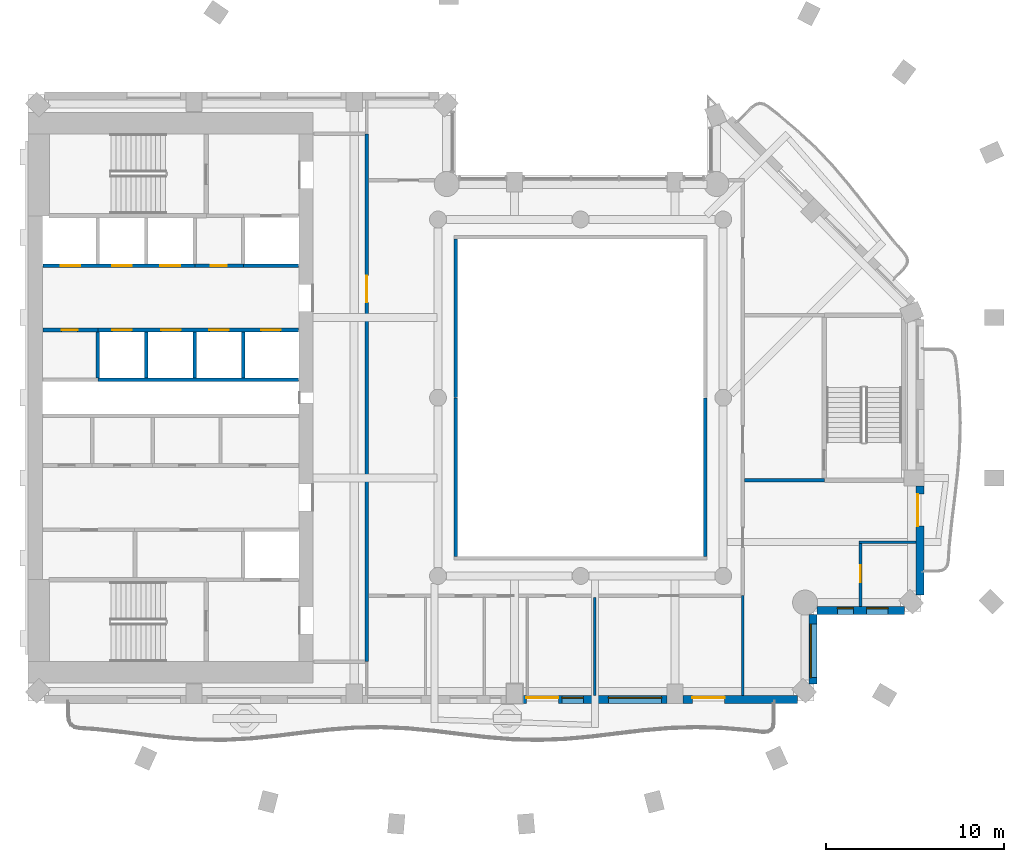
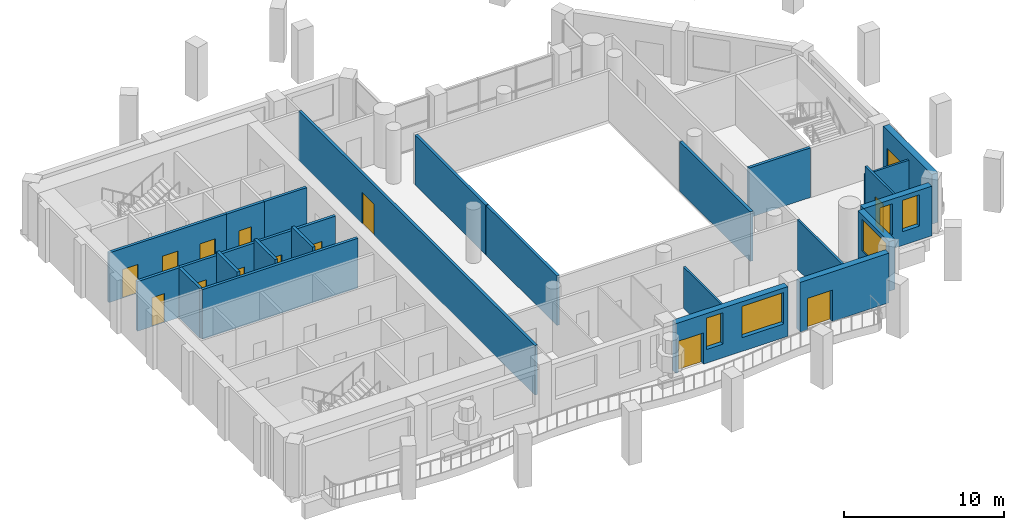
# One storey, part 5 of 14: 24 walls, 14 doors, 5 windows, 19 openings.
"""IFC4 building model written with IfcOpenShell, lengths in metres."""

from ifc_helpers import new_model, si_unit, direction, frame, frame_2d, origin, place, context, subcontext, project, spatial, rectangle, extrude, material, layer, layer_set, type_object, element, fill, save


model = new_model("IFC4")

# Units and contexts
model_context = context("Model", 3, precision=1e-05, world=origin(), true_north=direction((0.0, 1.0)))
body_context = subcontext(model_context, "Body", "Model", "MODEL_VIEW")
ifc_project = project(units=[si_unit("LENGTHUNIT", "METRE"), si_unit("AREAUNIT", "SQUARE_METRE"), si_unit("VOLUMEUNIT", "CUBIC_METRE"), si_unit("PLANEANGLEUNIT", "RADIAN"), si_unit("MASSUNIT", "GRAM", prefix="KILO")], contexts=[model_context])

# Site, building, storey
site_placement = place(None, origin())
site = spatial("IfcSite", under=ifc_project, at=site_placement, CompositionType="ELEMENT")
building_placement = place(site_placement, origin())
building = spatial("IfcBuilding", under=site, at=building_placement, Name="Cypress Arch Tower", CompositionType="ELEMENT")
storey_placement = place(building_placement, frame((0.0, 0.0, 185.10009765625)))
storey = spatial("IfcBuildingStorey", under=building, at=storey_placement, Name="L40", CompositionType="ELEMENT", Elevation=185.10009765625)

# Wall, openings, door, windows
ifc_material_1 = material(Name="Brick (red buff blend)", Category="masonry")
ifc_layer_1 = layer(ifc_material_1, 0.449951171875)
ifc_layer_set_1 = layer_set([ifc_layer_1], Name="Brick pier and spandrel wall BW450")
wall_type_1 = type_object("IfcWallType", Name="Brick pier and spandrel wall BW450", PredefinedType="SOLIDWALL", material=ifc_layer_set_1)
wall_1_placement = place(storey_placement, frame((-2.25, -16.925048828125, 0.0), z_axis=(0.0, 0.0, 1.0), x_axis=(1.0, 0.0, 0.0)))
wall_1 = element("IfcWall", 1, at=wall_1_placement, inside=storey, type_object=wall_type_1, Name="Brick wall L40 B01.3", PredefinedType="SOLIDWALL", context=body_context, shape_type="SweptSolid", body=[
    extrude(rectangle(XDim=8.10009765625, YDim=0.449951171875, at=frame_2d((4.050048828125, 0.0))), origin(), (0.0, 0.0, 1.0), 3.7998046875),
])
opening_1_placement = place(wall_1_placement, frame((0.199951171875, 0.0, 0.0)))
opening_1 = element("IfcOpeningElement", 2, at=opening_1_placement, cuts=wall_1, Name="Opening D-L40-B01.3.1", PredefinedType="OPENING", context=body_context, shape_type="SweptSolid", body=[
    extrude(rectangle(XDim=1.800048828125, YDim=2.39990234375, at=frame_2d((0.89990234375, 1.199951171875))), frame((0.0, 0.23486328125, 0.0), z_axis=(0.0, -1.0, 0.0), x_axis=(1.0, 0.0, 0.0)), (0.0, 0.0, 1.0), 0.469970703125),
])
opening_2_placement = place(wall_1_placement, frame((2.199951171875, 0.0, 1.050048828125)))
opening_2 = element("IfcOpeningElement", 3, at=opening_2_placement, cuts=wall_1, Name="Opening W120OD", PredefinedType="OPENING", context=body_context, shape_type="SweptSolid", body=[
    extrude(rectangle(XDim=1.199951171875, YDim=2.39990234375, at=frame_2d((0.60009765625, 1.199951171875))), frame((0.0, 0.23486328125, 0.0), z_axis=(0.0, -1.0, 0.0), x_axis=(1.0, 0.0, 0.0)), (0.0, 0.0, 1.0), 0.469970703125),
])
opening_3_placement = place(wall_1_placement, frame((4.800048828125, 0.0, 1.050048828125)))
opening_3 = element("IfcOpeningElement", 4, at=opening_3_placement, cuts=wall_1, Name="Opening W300OD", PredefinedType="OPENING", context=body_context, shape_type="SweptSolid", body=[
    extrude(rectangle(XDim=3.0, YDim=2.39990234375, at=frame_2d((1.5, 1.199951171875))), frame((0.0, 0.23486328125, 0.0), z_axis=(0.0, -1.0, 0.0), x_axis=(1.0, 0.0, 0.0)), (0.0, 0.0, 1.0), 0.469970703125),
])
ifc_material_2 = material(Name="Anodised aluminium, bronze finish, laminated low-emissivity double glazing, large-missile impact rated", Category="aluminium")
door_type_1 = type_object("IfcDoorType", Name="Balcony sliding door 1800x2400", OperationType="SLIDING_TO_LEFT", PredefinedType="DOOR", material=ifc_material_2)
door_1_placement = place(opening_1_placement, origin())
door_1 = element("IfcDoor", 5, at=door_1_placement, inside=storey, type_object=door_type_1, Name="Balcony door L40 B01.3.1", OperationType="SLIDING_TO_LEFT", OverallHeight=2.39990234375, OverallWidth=1.800048828125, PredefinedType="DOOR", context=body_context, shape_type="SweptSolid", body=[
    extrude(rectangle(XDim=1.800048828125, YDim=2.39990234375, at=frame_2d((0.89990234375, 1.199951171875))), frame((0.0, 0.1298828125, 0.0), z_axis=(0.0, -1.0, 0.0), x_axis=(1.0, 0.0, 0.0)), (0.0, 0.0, 1.0), 0.050048828125),
])
fill(opening_1, door_1)
ifc_material_3 = material(Name="Anodised aluminium, bronze finish, laminated low-emissivity double glazing, large-missile impact rated", Category="aluminium")
window_type_1 = type_object("IfcWindowType", Name="Window Office 1200x2400 debris-rated", PartitioningType="SINGLE_PANEL", PredefinedType="WINDOW", material=ifc_material_3)
window_1_placement = place(opening_2_placement, origin())
window_1 = element("IfcWindow", 6, at=window_1_placement, inside=storey, type_object=window_type_1, Name="Window L40 B01.3.1", OverallHeight=2.39990234375, OverallWidth=1.199951171875, PartitioningType="SINGLE_PANEL", PredefinedType="WINDOW", context=body_context, shape_type="SweptSolid", body=[
    extrude(rectangle(XDim=1.199951171875, YDim=2.39990234375, at=frame_2d((0.60009765625, 1.199951171875))), frame((0.0, 0.135009765625, 0.0), z_axis=(0.0, -1.0, 0.0), x_axis=(1.0, 0.0, 0.0)), (0.0, 0.0, 1.0), 0.06005859375),
])
fill(opening_2, window_1)
ifc_material_4 = material(Name="Anodised aluminium, bronze finish, laminated low-emissivity double glazing, large-missile impact rated", Category="aluminium")
window_type_2 = type_object("IfcWindowType", Name="Window Office 3000x2400 debris-rated", PartitioningType="SINGLE_PANEL", PredefinedType="WINDOW", material=ifc_material_4)
window_2_placement = place(opening_3_placement, origin())
window_2 = element("IfcWindow", 7, at=window_2_placement, inside=storey, type_object=window_type_2, Name="Window L40 B01.3.2", OverallHeight=2.39990234375, OverallWidth=3.0, PartitioningType="SINGLE_PANEL", PredefinedType="WINDOW", context=body_context, shape_type="SweptSolid", body=[
    extrude(rectangle(XDim=3.0, YDim=2.39990234375, at=frame_2d((1.5, 1.199951171875))), frame((0.0, 0.135009765625, 0.0), z_axis=(0.0, -1.0, 0.0), x_axis=(1.0, 0.0, 0.0)), (0.0, 0.0, 1.0), 0.06005859375),
])
fill(opening_3, window_2)

# Wall, opening, door
wall_2_placement = place(storey_placement, frame((6.75, -16.925048828125, 0.0), z_axis=(0.0, 0.0, 1.0), x_axis=(1.0, 0.0, 0.0)))
wall_2 = element("IfcWall", 8, at=wall_2_placement, inside=storey, type_object=wall_type_1, Name="Brick wall L40 B01.4", PredefinedType="SOLIDWALL", context=body_context, shape_type="SweptSolid", body=[
    extrude(rectangle(XDim=6.41357421875, YDim=0.449951171875, at=frame_2d((3.206787109375, 0.0))), origin(), (0.0, 0.0, 1.0), 3.7998046875),
])
opening_4_placement = place(wall_2_placement, frame((0.52490234375, 0.0, 0.0)))
opening_4 = element("IfcOpeningElement", 9, at=opening_4_placement, cuts=wall_2, Name="Opening D-L40-B01.4.1", PredefinedType="OPENING", context=body_context, shape_type="SweptSolid", body=[
    extrude(rectangle(XDim=1.800048828125, YDim=2.39990234375, at=frame_2d((0.89990234375, 1.199951171875))), frame((0.0, 0.23486328125, 0.0), z_axis=(0.0, -1.0, 0.0), x_axis=(1.0, 0.0, 0.0)), (0.0, 0.0, 1.0), 0.469970703125),
])
door_2_placement = place(opening_4_placement, origin())
door_2 = element("IfcDoor", 10, at=door_2_placement, inside=storey, type_object=door_type_1, Name="Balcony door L40 B01.4.1", OperationType="SLIDING_TO_LEFT", OverallHeight=2.39990234375, OverallWidth=1.800048828125, PredefinedType="DOOR", context=body_context, shape_type="SweptSolid", body=[
    extrude(rectangle(XDim=1.800048828125, YDim=2.39990234375, at=frame_2d((0.89990234375, 1.199951171875))), frame((0.0, 0.1298828125, 0.0), z_axis=(0.0, -1.0, 0.0), x_axis=(1.0, 0.0, 0.0)), (0.0, 0.0, 1.0), 0.050048828125),
])
fill(opening_4, door_2)

# Wall, opening, window
wall_3_placement = place(storey_placement, frame((14.02490234375, -16.063720703125, 0.0), z_axis=(0.0, 0.0, 1.0), x_axis=(0.0, 1.0, 0.0)))
wall_3 = element("IfcWall", 11, at=wall_3_placement, inside=storey, type_object=wall_type_1, Name="Brick wall L40 B02.0", PredefinedType="SOLIDWALL", context=body_context, shape_type="SweptSolid", body=[
    extrude(rectangle(XDim=3.9091796875, YDim=0.449951171875, at=frame_2d((1.95458984375, 0.0))), origin(), (0.0, 0.0, 1.0), 3.7998046875),
])
opening_5_placement = place(wall_3_placement, frame((0.363525390625, 0.0, 1.050048828125)))
opening_5 = element("IfcOpeningElement", 12, at=opening_5_placement, cuts=wall_3, Name="Opening W300O", PredefinedType="OPENING", context=body_context, shape_type="SweptSolid", body=[
    extrude(rectangle(XDim=3.0, YDim=2.39990234375, at=frame_2d((1.5, 1.199951171875))), frame((0.0, 0.23486328125, 0.0), z_axis=(0.0, -1.0, 0.0), x_axis=(1.0, 0.0, 0.0)), (0.0, 0.0, 1.0), 0.469970703125),
])
ifc_material_5 = material(Name="Anodised aluminium, bronze finish, clear low-emissivity double glazing", Category="aluminium")
window_type_3 = type_object("IfcWindowType", Name="Window Office 3000x2400", PartitioningType="SINGLE_PANEL", PredefinedType="WINDOW", material=ifc_material_5)
window_3_placement = place(opening_5_placement, origin())
window_3 = element("IfcWindow", 13, at=window_3_placement, inside=storey, type_object=window_type_3, Name="Window L40 B02.0.1", OverallHeight=2.39990234375, OverallWidth=3.0, PartitioningType="SINGLE_PANEL", PredefinedType="WINDOW", context=body_context, shape_type="SweptSolid", body=[
    extrude(rectangle(XDim=3.0, YDim=2.39990234375, at=frame_2d((1.5, 1.199951171875))), frame((0.0, 0.135009765625, 0.0), z_axis=(0.0, -1.0, 0.0), x_axis=(1.0, 0.0, 0.0)), (0.0, 0.0, 1.0), 0.06005859375),
])
fill(opening_5, window_3)

# Wall, openings, windows
wall_4_placement = place(storey_placement, frame((14.254638671875, -11.925048828125, 0.0), z_axis=(0.0, 0.0, 1.0), x_axis=(1.0, 0.0, 0.0)))
wall_4 = element("IfcWall", 14, at=wall_4_placement, inside=storey, type_object=wall_type_1, Name="Brick wall L40 B03.0", PredefinedType="SOLIDWALL", context=body_context, shape_type="SweptSolid", body=[
    extrude(rectangle(XDim=4.908935546875, YDim=0.449951171875, at=frame_2d((2.45458984375, 0.0))), origin(), (0.0, 0.0, 1.0), 3.7998046875),
])
opening_6_placement = place(wall_4_placement, frame((1.1455078125, 0.0, 1.050048828125)))
opening_6 = element("IfcOpeningElement", 15, at=opening_6_placement, cuts=wall_4, Name="Opening W090O", PredefinedType="OPENING", context=body_context, shape_type="SweptSolid", body=[
    extrude(rectangle(XDim=0.89990234375, YDim=2.39990234375, at=frame_2d((0.449951171875, 1.199951171875))), frame((0.0, 0.23486328125, 0.0), z_axis=(0.0, -1.0, 0.0), x_axis=(1.0, 0.0, 0.0)), (0.0, 0.0, 1.0), 0.469970703125),
])
opening_7_placement = place(wall_4_placement, frame((2.79541015625, 0.0, 1.050048828125)))
opening_7 = element("IfcOpeningElement", 16, at=opening_7_placement, cuts=wall_4, Name="Opening W120O", PredefinedType="OPENING", context=body_context, shape_type="SweptSolid", body=[
    extrude(rectangle(XDim=1.199951171875, YDim=2.39990234375, at=frame_2d((0.60009765625, 1.199951171875))), frame((0.0, 0.23486328125, 0.0), z_axis=(0.0, -1.0, 0.0), x_axis=(1.0, 0.0, 0.0)), (0.0, 0.0, 1.0), 0.469970703125),
])
ifc_material_6 = material(Name="Anodised aluminium, bronze finish, clear low-emissivity double glazing", Category="aluminium")
window_type_4 = type_object("IfcWindowType", Name="Window Office 1200x2400", PartitioningType="SINGLE_PANEL", PredefinedType="WINDOW", material=ifc_material_6)
window_4_placement = place(opening_7_placement, origin())
window_4 = element("IfcWindow", 17, at=window_4_placement, inside=storey, type_object=window_type_4, Name="Window L40 B03.0.1b", OverallHeight=2.39990234375, OverallWidth=1.199951171875, PartitioningType="SINGLE_PANEL", PredefinedType="WINDOW", context=body_context, shape_type="SweptSolid", body=[
    extrude(rectangle(XDim=1.199951171875, YDim=2.39990234375, at=frame_2d((0.60009765625, 1.199951171875))), frame((0.0, 0.135009765625, 0.0), z_axis=(0.0, -1.0, 0.0), x_axis=(1.0, 0.0, 0.0)), (0.0, 0.0, 1.0), 0.06005859375),
])
fill(opening_7, window_4)
ifc_material_7 = material(Name="Anodised aluminium, bronze finish, clear low-emissivity double glazing", Category="aluminium")
window_type_5 = type_object("IfcWindowType", Name="Window Office 900x2400", PartitioningType="SINGLE_PANEL", PredefinedType="WINDOW", material=ifc_material_7)
window_5_placement = place(opening_6_placement, origin())
window_5 = element("IfcWindow", 18, at=window_5_placement, inside=storey, type_object=window_type_5, Name="Window L40 B03.0.1", OverallHeight=2.39990234375, OverallWidth=0.89990234375, PartitioningType="SINGLE_PANEL", PredefinedType="WINDOW", context=body_context, shape_type="SweptSolid", body=[
    extrude(rectangle(XDim=0.89990234375, YDim=2.39990234375, at=frame_2d((0.449951171875, 1.199951171875))), frame((0.0, 0.135009765625, 0.0), z_axis=(0.0, -1.0, 0.0), x_axis=(1.0, 0.0, 0.0)), (0.0, 0.0, 1.0), 0.06005859375),
])
fill(opening_6, window_5)

# Wall, opening, door
wall_5_placement = place(storey_placement, frame((20.02490234375, -11.063720703125, 0.0), z_axis=(0.0, 0.0, 1.0), x_axis=(0.0, 1.0, 0.0)))
wall_5 = element("IfcWall", 19, at=wall_5_placement, inside=storey, type_object=wall_type_1, Name="Brick wall L40 B04.0", PredefinedType="SOLIDWALL", context=body_context, shape_type="SweptSolid", body=[
    extrude(rectangle(XDim=6.11376953125, YDim=0.449951171875, at=frame_2d((3.056884765625, 0.0))), origin(), (0.0, 0.0, 1.0), 3.7998046875),
])
opening_8_placement = place(wall_5_placement, frame((3.863525390625, 0.0, 0.0)))
opening_8 = element("IfcOpeningElement", 20, at=opening_8_placement, cuts=wall_5, Name="Opening D-L40-B04.0.2", PredefinedType="OPENING", context=body_context, shape_type="SweptSolid", body=[
    extrude(rectangle(XDim=1.800048828125, YDim=2.39990234375, at=frame_2d((0.89990234375, 1.199951171875))), frame((0.0, 0.23486328125, 0.0), z_axis=(0.0, -1.0, 0.0), x_axis=(1.0, 0.0, 0.0)), (0.0, 0.0, 1.0), 0.469970703125),
])
door_3_placement = place(opening_8_placement, origin())
door_3 = element("IfcDoor", 21, at=door_3_placement, inside=storey, type_object=door_type_1, Name="Balcony door L40 B04.0.2", OperationType="SLIDING_TO_LEFT", OverallHeight=2.39990234375, OverallWidth=1.800048828125, PredefinedType="DOOR", context=body_context, shape_type="SweptSolid", body=[
    extrude(rectangle(XDim=1.800048828125, YDim=2.39990234375, at=frame_2d((0.89990234375, 1.199951171875))), frame((0.0, 0.1298828125, 0.0), z_axis=(0.0, -1.0, 0.0), x_axis=(1.0, 0.0, 0.0)), (0.0, 0.0, 1.0), 0.050048828125),
])
fill(opening_8, door_3)

ifc_material_8 = material(Name="Concrete blockwork, plastered, rated", Category="masonry")
ifc_layer_2 = layer(ifc_material_8, 0.199951171875)
ifc_layer_set_2 = layer_set([ifc_layer_2], Name="Corridor wall FW200")
wall_type_2 = type_object("IfcWallType", Name="Corridor wall FW200", PredefinedType="PARTITIONING", material=ifc_layer_set_2)
wall_6_placement = place(storey_placement, frame((-29.169921875, 3.800048828125, 0.0), z_axis=(0.0, 0.0, 1.0), x_axis=(1.0, 0.0, 0.0)))
wall_6 = element("IfcWall", 22, at=wall_6_placement, inside=storey, type_object=wall_type_2, Name="Corridor wall", PredefinedType="PARTITIONING", context=body_context, shape_type="SweptSolid", body=[
    extrude(rectangle(XDim=3.08984375, YDim=0.199951171875, at=frame_2d((1.544921875, 0.0))), origin(), (0.0, 0.0, 1.0), 3.7998046875),
])
opening_9_placement = place(wall_6_placement, frame((1.050048828125, 0.0, 0.0)))
opening_9 = element("IfcOpeningElement", 23, at=opening_9_placement, cuts=wall_6, Name="Opening D05", PredefinedType="OPENING", context=body_context, shape_type="SweptSolid", body=[
    extrude(rectangle(XDim=0.89990234375, YDim=2.199951171875, at=frame_2d((0.449951171875, 1.10009765625))), frame((0.0, 0.10986328125, 0.0), z_axis=(0.0, -1.0, 0.0), x_axis=(1.0, 0.0, 0.0)), (0.0, 0.0, 1.0), 0.219970703125),
])
ifc_material_9 = material(Name="Timber flush door", Category="wood")
door_type_2 = type_object("IfcDoorType", Name="Service door D05 900x2200", OperationType="SINGLE_SWING_LEFT", PredefinedType="DOOR", material=ifc_material_9)
door_4_placement = place(opening_9_placement, origin())
door_4 = element("IfcDoor", 24, at=door_4_placement, inside=storey, type_object=door_type_2, Name="Service door", OperationType="SINGLE_SWING_LEFT", OverallHeight=2.199951171875, OverallWidth=0.89990234375, PredefinedType="DOOR", context=body_context, shape_type="SweptSolid", body=[
    extrude(rectangle(XDim=0.89990234375, YDim=2.199951171875, at=frame_2d((0.449951171875, 1.10009765625))), frame((0.0, 0.02490234375, 0.0), z_axis=(0.0, -1.0, 0.0), x_axis=(1.0, 0.0, 0.0)), (0.0, 0.0, 1.0), 0.050048828125),
])
fill(opening_9, door_4)

wall_7_placement = place(storey_placement, frame((-20.639892578125, 7.39990234375, 0.0), z_axis=(0.0, 0.0, 1.0), x_axis=(1.0, 0.0, 0.0)))
wall_7 = element("IfcWall", 25, at=wall_7_placement, inside=storey, type_object=wall_type_2, Name="Corridor wall", PredefinedType="PARTITIONING", context=body_context, shape_type="SweptSolid", body=[
    extrude(rectangle(XDim=2.719970703125, YDim=0.199951171875, at=frame_2d((1.35986328125, 0.0))), origin(), (0.0, 0.0, 1.0), 3.7998046875),
])
opening_10_placement = place(wall_7_placement, frame((0.89990234375, 0.0, 0.0)))
opening_10 = element("IfcOpeningElement", 26, at=opening_10_placement, cuts=wall_7, Name="Opening D05", PredefinedType="OPENING", context=body_context, shape_type="SweptSolid", body=[
    extrude(rectangle(XDim=0.89990234375, YDim=2.199951171875, at=frame_2d((0.449951171875, 1.10009765625))), frame((0.0, 0.10986328125, 0.0), z_axis=(0.0, -1.0, 0.0), x_axis=(1.0, 0.0, 0.0)), (0.0, 0.0, 1.0), 0.219970703125),
])
door_5_placement = place(opening_10_placement, origin())
door_5 = element("IfcDoor", 27, at=door_5_placement, inside=storey, type_object=door_type_2, Name="Service door", OperationType="SINGLE_SWING_LEFT", OverallHeight=2.199951171875, OverallWidth=0.89990234375, PredefinedType="DOOR", context=body_context, shape_type="SweptSolid", body=[
    extrude(rectangle(XDim=0.89990234375, YDim=2.199951171875, at=frame_2d((0.449951171875, 1.10009765625))), frame((0.0, 0.02490234375, 0.0), z_axis=(0.0, -1.0, 0.0), x_axis=(1.0, 0.0, 0.0)), (0.0, 0.0, 1.0), 0.050048828125),
])
fill(opening_10, door_5)

wall_8_placement = place(storey_placement, frame((-11.0, -14.800048828125, 0.0), z_axis=(0.0, 0.0, 1.0), x_axis=(0.0, 1.0, 0.0)))
wall_8 = element("IfcWall", 28, at=wall_8_placement, inside=storey, type_object=wall_type_2, Name="Corridor wall", PredefinedType="PARTITIONING", context=body_context, shape_type="SweptSolid", body=[
    extrude(rectangle(XDim=29.60009765625, YDim=0.199951171875, at=frame_2d((14.800048828125, 0.0))), origin(), (0.0, 0.0, 1.0), 3.7998046875),
])
opening_11_placement = place(wall_8_placement, frame((20.14990234375, 0.0, 0.0)))
opening_11 = element("IfcOpeningElement", 29, at=opening_11_placement, cuts=wall_8, Name="Opening D07", PredefinedType="OPENING", context=body_context, shape_type="SweptSolid", body=[
    extrude(rectangle(XDim=1.5, YDim=2.39990234375, at=frame_2d((0.75, 1.199951171875))), frame((0.0, 0.10986328125, 0.0), z_axis=(0.0, -1.0, 0.0), x_axis=(1.0, 0.0, 0.0)), (0.0, 0.0, 1.0), 0.219970703125),
])
ifc_material_10 = material(Name="Steel framed glazed door, fire resisting", Category="steel")
door_type_3 = type_object("IfcDoorType", Name="Lobby door D07 1500x2400", OperationType="DOUBLE_DOOR_SINGLE_SWING", PredefinedType="DOOR", material=ifc_material_10)
door_6_placement = place(opening_11_placement, origin())
door_6 = element("IfcDoor", 30, at=door_6_placement, inside=storey, type_object=door_type_3, Name="Lobby door", OperationType="DOUBLE_DOOR_SINGLE_SWING", OverallHeight=2.39990234375, OverallWidth=1.5, PredefinedType="DOOR", context=body_context, shape_type="SweptSolid", body=[
    extrude(rectangle(XDim=1.5, YDim=2.39990234375, at=frame_2d((0.75, 1.199951171875))), frame((0.0, 0.02490234375, 0.0), z_axis=(0.0, -1.0, 0.0), x_axis=(1.0, 0.0, 0.0)), (0.0, 0.0, 1.0), 0.050048828125),
])
fill(opening_11, door_6)

# Walls
for number, where, z_axis, x_axis, name in (
    (31, (-6.0, -8.89990234375, 0.0), (0.0, 0.0, 1.0), (0.0, 1.0, 0.0), "Corridor wall"),
    (32, (-6.0, 0.02001953125, 0.0), (0.0, 0.0, 1.0), (0.0, 1.0, 0.0), "Corridor wall"),
    (33, (8.0, -8.89990234375, 0.0), (0.0, 0.0, 1.0), (0.0, 1.0, 0.0), "Corridor wall"),
):
    element("IfcWall", number, at=place(storey_placement, frame(where, z_axis=z_axis, x_axis=x_axis)), inside=storey, type_object=wall_type_2, Name=name, PredefinedType="PARTITIONING", context=body_context, shape_type="SweptSolid", body=[
        extrude(rectangle(XDim=8.8798828125, YDim=0.199951171875, at=frame_2d((4.43994140625, 0.0))), origin(), (0.0, 0.0, 1.0), 3.7998046875),
    ])
wall_9_placement = place(storey_placement, frame((10.199951171875, -4.625, 0.0), z_axis=(0.0, 0.0, 1.0), x_axis=(1.0, 0.0, 0.0)))
element("IfcWall", 34, at=wall_9_placement, inside=storey, type_object=wall_type_2, Name="Corridor wall", PredefinedType="PARTITIONING", context=body_context, shape_type="SweptSolid", body=[
    extrude(rectangle(XDim=4.47509765625, YDim=0.199951171875, at=frame_2d((2.237548828125, 0.0))), origin(), (0.0, 0.0, 1.0), 3.7998046875),
])
ifc_material_11 = material(Name="Blockwork, plastered both sides", Category="masonry")
ifc_layer_3 = layer(ifc_material_11, 0.14990234375)
ifc_layer_set_3 = layer_set([ifc_layer_3], Name="Partition PW150")
wall_type_3 = type_object("IfcWallType", Name="Partition PW150", PredefinedType="PARTITIONING", material=ifc_layer_set_3)
wall_10_placement = place(storey_placement, frame((1.800048828125, -16.699951171875, 0.0), z_axis=(0.0, 0.0, 1.0), x_axis=(0.0, 1.0, 0.0)))
element("IfcWall", 35, at=wall_10_placement, inside=storey, type_object=wall_type_3, Name="Partition", PredefinedType="PARTITIONING", context=body_context, shape_type="SweptSolid", body=[
    extrude(rectangle(XDim=5.5, YDim=0.14990234375, at=frame_2d((2.75, 0.0))), origin(), (0.0, 0.0, 1.0), 3.14990234375),
])
wall_11_placement = place(storey_placement, frame((10.10009765625, -16.699951171875, 0.0), z_axis=(0.0, 0.0, 1.0), x_axis=(0.0, 1.0, 0.0)))
element("IfcWall", 36, at=wall_11_placement, inside=storey, type_object=wall_type_3, Name="Partition", PredefinedType="PARTITIONING", context=body_context, shape_type="SweptSolid", body=[
    extrude(rectangle(XDim=5.599853515625, YDim=0.14990234375, at=frame_2d((2.7998046875, 0.0))), origin(), (0.0, 0.0, 1.0), 3.7998046875),
])

# Wall, opening, door
wall_12_placement = place(storey_placement, frame((16.699951171875, -11.699951171875, 0.0), z_axis=(0.0, 0.0, 1.0), x_axis=(0.0, 1.0, 0.0)))
wall_12 = element("IfcWall", 37, at=wall_12_placement, inside=storey, type_object=wall_type_3, Name="Partition", PredefinedType="PARTITIONING", context=body_context, shape_type="SweptSolid", body=[
    extrude(rectangle(XDim=3.52490234375, YDim=0.14990234375, at=frame_2d((1.762451171875, 0.0))), origin(), (0.0, 0.0, 1.0), 3.7998046875),
])
opening_12_placement = place(wall_12_placement, frame((1.35009765625, 0.0, 0.0)))
opening_12 = element("IfcOpeningElement", 38, at=opening_12_placement, cuts=wall_12, Name="Opening D12", PredefinedType="OPENING", context=body_context, shape_type="SweptSolid", body=[
    extrude(rectangle(XDim=0.949951171875, YDim=2.199951171875, at=frame_2d((0.47509765625, 1.10009765625))), frame((0.0, 0.0849609375, 0.0), z_axis=(0.0, -1.0, 0.0), x_axis=(1.0, 0.0, 0.0)), (0.0, 0.0, 1.0), 0.169921875),
])
ifc_material_12 = material(Name="Timber flush door", Category="wood")
door_type_4 = type_object("IfcDoorType", Name="Room door D12 950x2200", OperationType="SINGLE_SWING_LEFT", PredefinedType="DOOR", material=ifc_material_12)
door_7_placement = place(opening_12_placement, origin())
door_7 = element("IfcDoor", 39, at=door_7_placement, inside=storey, type_object=door_type_4, Name="Room door", OperationType="SINGLE_SWING_RIGHT", OverallHeight=2.199951171875, OverallWidth=0.949951171875, PredefinedType="DOOR", context=body_context, shape_type="SweptSolid", body=[
    extrude(rectangle(XDim=0.949951171875, YDim=2.199951171875, at=frame_2d((0.47509765625, 1.10009765625))), frame((0.0, 0.02490234375, 0.0), z_axis=(0.0, -1.0, 0.0), x_axis=(1.0, 0.0, 0.0)), (0.0, 0.0, 1.0), 0.050048828125),
])
fill(opening_12, door_7)

# Wall
wall_13_placement = place(storey_placement, frame((16.625, -8.10009765625, 0.0), z_axis=(0.0, 0.0, 1.0), x_axis=(1.0, 0.0, 0.0)))
element("IfcWall", 40, at=wall_13_placement, inside=storey, type_object=wall_type_3, Name="Partition", PredefinedType="PARTITIONING", context=body_context, shape_type="SweptSolid", body=[
    extrude(rectangle(XDim=3.175048828125, YDim=0.14990234375, at=frame_2d((1.58740234375, 0.0))), origin(), (0.0, 0.0, 1.0), 3.14990234375),
])

# Wall, openings, doors
ifc_material_13 = material(Name="Concrete C50/60", Category="concrete")
ifc_layer_4 = layer(ifc_material_13, 0.199951171875)
ifc_layer_set_4 = layer_set([ifc_layer_4], Name="Shaft wall SH200")
wall_type_4 = type_object("IfcWallType", Name="Shaft wall SH200", PredefinedType="SHEAR", material=ifc_layer_set_4)
wall_14_placement = place(storey_placement, frame((-29.169921875, 7.39990234375, 0.0), z_axis=(0.0, 0.0, 1.0), x_axis=(1.0, 0.0, 0.0)))
wall_14 = element("IfcWall", 41, at=wall_14_placement, inside=storey, type_object=wall_type_4, Name="Shaft wall", PredefinedType="SHEAR", context=body_context, shape_type="SweptSolid", body=[
    extrude(rectangle(XDim=8.530029296875, YDim=0.199951171875, at=frame_2d((4.26513671875, 0.0))), origin(), (0.0, 0.0, 1.0), 3.7998046875),
])
opening_13_placement = place(wall_14_placement, frame((1.0, 0.0, 0.0)))
opening_13 = element("IfcOpeningElement", 42, at=opening_13_placement, cuts=wall_14, Name="Opening LD-HR5", PredefinedType="OPENING", context=body_context, shape_type="SweptSolid", body=[
    extrude(rectangle(XDim=1.10009765625, YDim=2.199951171875, at=frame_2d((0.550048828125, 1.10009765625))), frame((0.0, 0.10986328125, 0.0), z_axis=(0.0, -1.0, 0.0), x_axis=(1.0, 0.0, 0.0)), (0.0, 0.0, 1.0), 0.219970703125),
])
opening_14_placement = place(wall_14_placement, frame((3.89990234375, 0.0, 0.0)))
opening_14 = element("IfcOpeningElement", 43, at=opening_14_placement, cuts=wall_14, Name="Opening LD-HR6", PredefinedType="OPENING", context=body_context, shape_type="SweptSolid", body=[
    extrude(rectangle(XDim=1.10009765625, YDim=2.199951171875, at=frame_2d((0.550048828125, 1.10009765625))), frame((0.0, 0.10986328125, 0.0), z_axis=(0.0, -1.0, 0.0), x_axis=(1.0, 0.0, 0.0)), (0.0, 0.0, 1.0), 0.219970703125),
])
opening_15_placement = place(wall_14_placement, frame((6.60009765625, 0.0, 0.0)))
opening_15 = element("IfcOpeningElement", 44, at=opening_15_placement, cuts=wall_14, Name="Opening LD-HR7", PredefinedType="OPENING", context=body_context, shape_type="SweptSolid", body=[
    extrude(rectangle(XDim=1.10009765625, YDim=2.199951171875, at=frame_2d((0.550048828125, 1.10009765625))), frame((0.0, 0.10986328125, 0.0), z_axis=(0.0, -1.0, 0.0), x_axis=(1.0, 0.0, 0.0)), (0.0, 0.0, 1.0), 0.219970703125),
])
ifc_material_14 = material(Name="Stainless steel centre-opening landing door, rated", Category="steel")
door_type_5 = type_object("IfcDoorType", Name="Lift landing door LD 1100x2200", OperationType="DOUBLE_DOOR_SLIDING", PredefinedType="DOOR", material=ifc_material_14)
door_8_placement = place(opening_13_placement, origin())
door_8 = element("IfcDoor", 45, at=door_8_placement, inside=storey, type_object=door_type_5, Name="Lift landing doors HR5", OperationType="DOUBLE_DOOR_SLIDING", OverallHeight=2.199951171875, OverallWidth=1.10009765625, PredefinedType="DOOR", context=body_context, shape_type="SweptSolid", body=[
    extrude(rectangle(XDim=1.10009765625, YDim=2.199951171875, at=frame_2d((0.550048828125, 1.10009765625))), frame((0.0, 0.02490234375, 0.0), z_axis=(0.0, -1.0, 0.0), x_axis=(1.0, 0.0, 0.0)), (0.0, 0.0, 1.0), 0.050048828125),
])
fill(opening_13, door_8)
door_9_placement = place(opening_14_placement, origin())
door_9 = element("IfcDoor", 46, at=door_9_placement, inside=storey, type_object=door_type_5, Name="Lift landing doors HR6", OperationType="DOUBLE_DOOR_SLIDING", OverallHeight=2.199951171875, OverallWidth=1.10009765625, PredefinedType="DOOR", context=body_context, shape_type="SweptSolid", body=[
    extrude(rectangle(XDim=1.10009765625, YDim=2.199951171875, at=frame_2d((0.550048828125, 1.10009765625))), frame((0.0, 0.02490234375, 0.0), z_axis=(0.0, -1.0, 0.0), x_axis=(1.0, 0.0, 0.0)), (0.0, 0.0, 1.0), 0.050048828125),
])
fill(opening_14, door_9)
door_10_placement = place(opening_15_placement, origin())
door_10 = element("IfcDoor", 47, at=door_10_placement, inside=storey, type_object=door_type_5, Name="Lift landing doors HR7", OperationType="DOUBLE_DOOR_SLIDING", OverallHeight=2.199951171875, OverallWidth=1.10009765625, PredefinedType="DOOR", context=body_context, shape_type="SweptSolid", body=[
    extrude(rectangle(XDim=1.10009765625, YDim=2.199951171875, at=frame_2d((0.550048828125, 1.10009765625))), frame((0.0, 0.02490234375, 0.0), z_axis=(0.0, -1.0, 0.0), x_axis=(1.0, 0.0, 0.0)), (0.0, 0.0, 1.0), 0.050048828125),
])
fill(opening_15, door_10)

# Walls
wall_15_placement = place(storey_placement, frame((-26.080078125, 1.10009765625, 0.0), z_axis=(0.0, 0.0, 1.0), x_axis=(0.0, 1.0, 0.0)))
element("IfcWall", 48, at=wall_15_placement, inside=storey, type_object=wall_type_4, Name="Shaft wall", PredefinedType="SHEAR", context=body_context, shape_type="SweptSolid", body=[
    extrude(rectangle(XDim=2.599853515625, YDim=0.199951171875, at=frame_2d((1.2998046875, 0.0))), origin(), (0.0, 0.0, 1.0), 3.7998046875),
])
wall_16_placement = place(storey_placement, frame((-26.080078125, 1.0, 0.0), z_axis=(0.0, 0.0, 1.0), x_axis=(1.0, 0.0, 0.0)))
element("IfcWall", 49, at=wall_16_placement, inside=storey, type_object=wall_type_4, Name="Shaft wall", PredefinedType="SHEAR", context=body_context, shape_type="SweptSolid", body=[
    extrude(rectangle(XDim=11.25, YDim=0.199951171875, at=frame_2d((5.625, 0.0))), origin(), (0.0, 0.0, 1.0), 3.7998046875),
])

# Wall, openings, doors
wall_17_placement = place(storey_placement, frame((-26.080078125, 3.800048828125, 0.0), z_axis=(0.0, 0.0, 1.0), x_axis=(1.0, 0.0, 0.0)))
wall_17 = element("IfcWall", 50, at=wall_17_placement, inside=storey, type_object=wall_type_4, Name="Shaft wall", PredefinedType="SHEAR", context=body_context, shape_type="SweptSolid", body=[
    extrude(rectangle(XDim=11.25, YDim=0.199951171875, at=frame_2d((5.625, 0.0))), origin(), (0.0, 0.0, 1.0), 3.7998046875),
])
opening_16_placement = place(wall_17_placement, frame((0.800048828125, 0.0, 0.0)))
opening_16 = element("IfcOpeningElement", 51, at=opening_16_placement, cuts=wall_17, Name="Opening LD-HR1", PredefinedType="OPENING", context=body_context, shape_type="SweptSolid", body=[
    extrude(rectangle(XDim=1.10009765625, YDim=2.199951171875, at=frame_2d((0.550048828125, 1.10009765625))), frame((0.0, 0.10986328125, 0.0), z_axis=(0.0, -1.0, 0.0), x_axis=(1.0, 0.0, 0.0)), (0.0, 0.0, 1.0), 0.219970703125),
])
opening_17_placement = place(wall_17_placement, frame((3.550048828125, 0.0, 0.0)))
opening_17 = element("IfcOpeningElement", 52, at=opening_17_placement, cuts=wall_17, Name="Opening LD-HR2", PredefinedType="OPENING", context=body_context, shape_type="SweptSolid", body=[
    extrude(rectangle(XDim=1.10009765625, YDim=2.199951171875, at=frame_2d((0.550048828125, 1.10009765625))), frame((0.0, 0.10986328125, 0.0), z_axis=(0.0, -1.0, 0.0), x_axis=(1.0, 0.0, 0.0)), (0.0, 0.0, 1.0), 0.219970703125),
])
opening_18_placement = place(wall_17_placement, frame((6.25, 0.0, 0.0)))
opening_18 = element("IfcOpeningElement", 53, at=opening_18_placement, cuts=wall_17, Name="Opening LD-HR3", PredefinedType="OPENING", context=body_context, shape_type="SweptSolid", body=[
    extrude(rectangle(XDim=1.10009765625, YDim=2.199951171875, at=frame_2d((0.550048828125, 1.10009765625))), frame((0.0, 0.10986328125, 0.0), z_axis=(0.0, -1.0, 0.0), x_axis=(1.0, 0.0, 0.0)), (0.0, 0.0, 1.0), 0.219970703125),
])
opening_19_placement = place(wall_17_placement, frame((9.14990234375, 0.0, 0.0)))
opening_19 = element("IfcOpeningElement", 54, at=opening_19_placement, cuts=wall_17, Name="Opening LD-HR4", PredefinedType="OPENING", context=body_context, shape_type="SweptSolid", body=[
    extrude(rectangle(XDim=1.10009765625, YDim=2.199951171875, at=frame_2d((0.550048828125, 1.10009765625))), frame((0.0, 0.10986328125, 0.0), z_axis=(0.0, -1.0, 0.0), x_axis=(1.0, 0.0, 0.0)), (0.0, 0.0, 1.0), 0.219970703125),
])
door_11_placement = place(opening_16_placement, origin())
door_11 = element("IfcDoor", 55, at=door_11_placement, inside=storey, type_object=door_type_5, Name="Lift landing doors HR1", OperationType="DOUBLE_DOOR_SLIDING", OverallHeight=2.199951171875, OverallWidth=1.10009765625, PredefinedType="DOOR", context=body_context, shape_type="SweptSolid", body=[
    extrude(rectangle(XDim=1.10009765625, YDim=2.199951171875, at=frame_2d((0.550048828125, 1.10009765625))), frame((0.0, 0.02490234375, 0.0), z_axis=(0.0, -1.0, 0.0), x_axis=(1.0, 0.0, 0.0)), (0.0, 0.0, 1.0), 0.050048828125),
])
fill(opening_16, door_11)
door_12_placement = place(opening_17_placement, origin())
door_12 = element("IfcDoor", 56, at=door_12_placement, inside=storey, type_object=door_type_5, Name="Lift landing doors HR2", OperationType="DOUBLE_DOOR_SLIDING", OverallHeight=2.199951171875, OverallWidth=1.10009765625, PredefinedType="DOOR", context=body_context, shape_type="SweptSolid", body=[
    extrude(rectangle(XDim=1.10009765625, YDim=2.199951171875, at=frame_2d((0.550048828125, 1.10009765625))), frame((0.0, 0.02490234375, 0.0), z_axis=(0.0, -1.0, 0.0), x_axis=(1.0, 0.0, 0.0)), (0.0, 0.0, 1.0), 0.050048828125),
])
fill(opening_17, door_12)
door_13_placement = place(opening_18_placement, origin())
door_13 = element("IfcDoor", 57, at=door_13_placement, inside=storey, type_object=door_type_5, Name="Lift landing doors HR3", OperationType="DOUBLE_DOOR_SLIDING", OverallHeight=2.199951171875, OverallWidth=1.10009765625, PredefinedType="DOOR", context=body_context, shape_type="SweptSolid", body=[
    extrude(rectangle(XDim=1.10009765625, YDim=2.199951171875, at=frame_2d((0.550048828125, 1.10009765625))), frame((0.0, 0.02490234375, 0.0), z_axis=(0.0, -1.0, 0.0), x_axis=(1.0, 0.0, 0.0)), (0.0, 0.0, 1.0), 0.050048828125),
])
fill(opening_18, door_13)
door_14_placement = place(opening_19_placement, origin())
door_14 = element("IfcDoor", 58, at=door_14_placement, inside=storey, type_object=door_type_5, Name="Lift landing doors HR4", OperationType="DOUBLE_DOOR_SLIDING", OverallHeight=2.199951171875, OverallWidth=1.10009765625, PredefinedType="DOOR", context=body_context, shape_type="SweptSolid", body=[
    extrude(rectangle(XDim=1.10009765625, YDim=2.199951171875, at=frame_2d((0.550048828125, 1.10009765625))), frame((0.0, 0.02490234375, 0.0), z_axis=(0.0, -1.0, 0.0), x_axis=(1.0, 0.0, 0.0)), (0.0, 0.0, 1.0), 0.050048828125),
])
fill(opening_19, door_14)

# Walls
for number, where, z_axis, x_axis, name in (
    (59, (-23.360107421875, 1.10009765625, 0.0), (0.0, 0.0, 1.0), (0.0, 1.0, 0.0), "Shaft wall"),
    (60, (-20.639892578125, 1.10009765625, 0.0), (0.0, 0.0, 1.0), (0.0, 1.0, 0.0), "Shaft wall"),
    (61, (-17.919921875, 1.10009765625, 0.0), (0.0, 0.0, 1.0), (0.0, 1.0, 0.0), "Shaft wall"),
):
    element("IfcWall", number, at=place(storey_placement, frame(where, z_axis=z_axis, x_axis=x_axis)), inside=storey, type_object=wall_type_4, Name=name, PredefinedType="SHEAR", context=body_context, shape_type="SweptSolid", body=[
        extrude(rectangle(XDim=2.599853515625, YDim=0.199951171875, at=frame_2d((1.2998046875, 0.0))), origin(), (0.0, 0.0, 1.0), 4.099853515625),
    ])
wall_18_placement = place(storey_placement, frame((-17.919921875, 7.39990234375, 0.0), z_axis=(0.0, 0.0, 1.0), x_axis=(1.0, 0.0, 0.0)))
element("IfcWall", 62, at=wall_18_placement, inside=storey, type_object=wall_type_4, Name="Shaft wall", PredefinedType="SHEAR", context=body_context, shape_type="SweptSolid", body=[
    extrude(rectangle(XDim=3.08984375, YDim=0.199951171875, at=frame_2d((1.544921875, 0.0))), origin(), (0.0, 0.0, 1.0), 3.7998046875),
])

save(model, "model.ifc")
